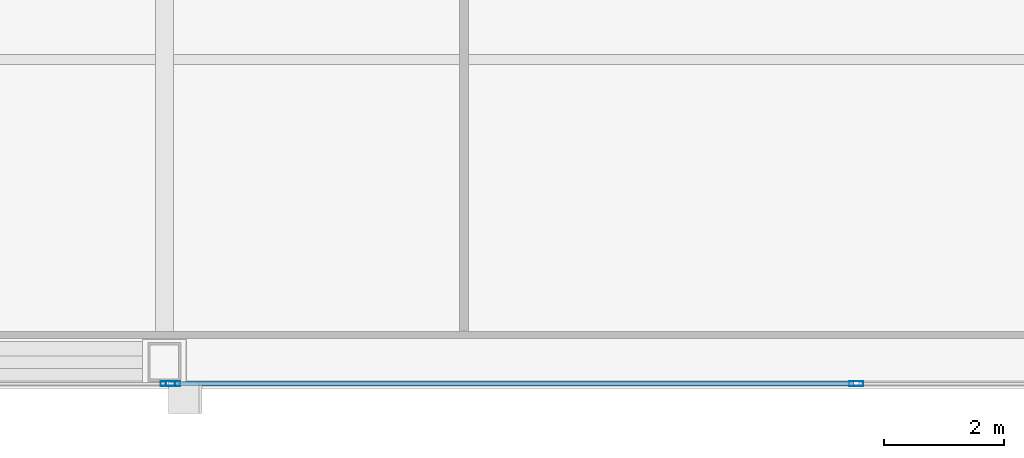
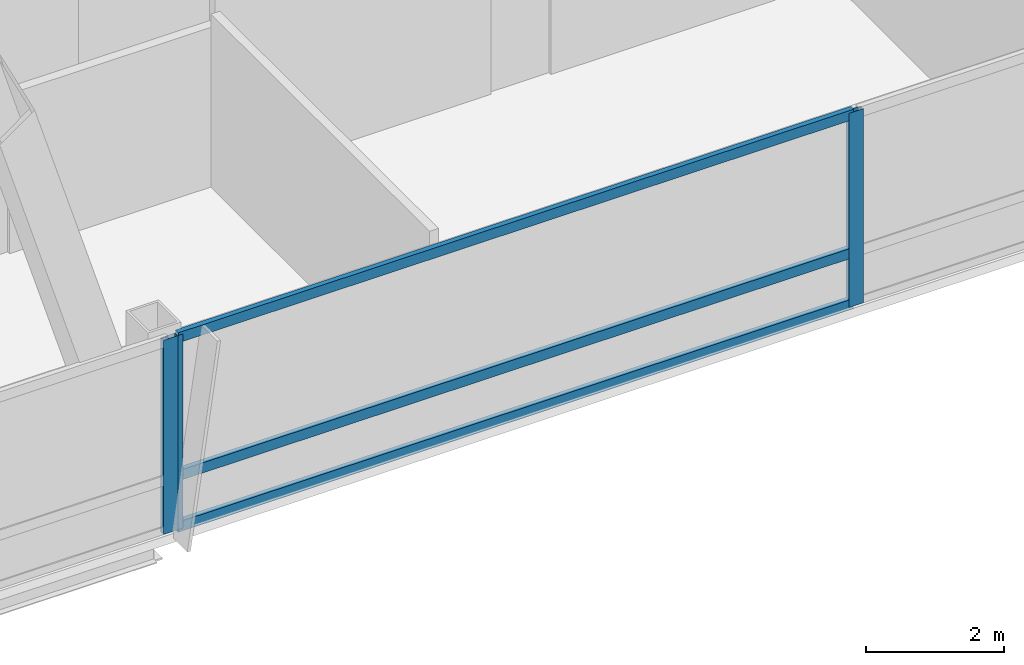
# One storey, part 7 of 29: 6 members, 2 elements without a shape of their own.
"""IFC4 building model written with IfcOpenShell, lengths in metres."""

from ifc_helpers import new_model, si_unit, direction, frame, origin, origin_2d, place, context, subcontext, project, spatial, hollow_rectangle, extrude, material, material_profile, profile_set, type_object, element, aggregate, save


model = new_model("IFC4")

# Units and contexts
model_context = context("Model", 3, precision=1e-05, world=origin(), true_north=direction((0.0, 1.0)))
body_context = subcontext(model_context, "Body", "Model", "MODEL_VIEW")
ifc_project = project(units=[si_unit("LENGTHUNIT", "METRE"), si_unit("AREAUNIT", "SQUARE_METRE"), si_unit("VOLUMEUNIT", "CUBIC_METRE"), si_unit("PLANEANGLEUNIT", "RADIAN"), si_unit("MASSUNIT", "GRAM", prefix="KILO")], contexts=[model_context])

# Site, building, storey
site_placement = place(None, origin())
site = spatial("IfcSite", under=ifc_project, at=site_placement, CompositionType="ELEMENT")
building_placement = place(site_placement, origin())
building = spatial("IfcBuilding", under=site, at=building_placement, Name="Khoronbel Lancet Exchange", CompositionType="ELEMENT")
storey_placement = place(building_placement, frame((0.0, 0.0, 314.60009765625)))
storey = spatial("IfcBuildingStorey", under=building, at=storey_placement, Name="L81", CompositionType="ELEMENT", Elevation=314.60009765625)

# Curtain wall, member
ifc_material_1 = material(Name="Low-E Solar Control Insulating Glass", Category="glass")
curtain_wall_type = type_object("IfcCurtainWallType", Name="CW-3", PredefinedType="NOTDEFINED", material=ifc_material_1)
curtain_wall_1_placement = place(storey_placement, origin())
curtain_wall_1 = element("IfcCurtainWall", 1, at=curtain_wall_1_placement, inside=storey, type_object=curtain_wall_type, Name="Unitised curtain wall CW-L81-SWB", PredefinedType="NOTDEFINED")
ifc_material_2 = material(Name="Bronze-Anodised Aluminium 6063-T6", Category="aluminium")
ifc_material_profile_1 = material_profile(ifc_material_2, hollow_rectangle(XDim=0.0849609375, YDim=0.239990234375, WallThickness=0.006103515625, at=origin_2d()), Name="ALU MULLION 85x240")
ifc_profile_set_1 = profile_set([ifc_material_profile_1], Name="Bronze-Anodised Aluminium 6063-T6")
member_type_1 = type_object("IfcMemberType", Name="MEM-CWM1", PredefinedType="MULLION", material=ifc_profile_set_1)
member_1_placement = place(storey_placement, frame((24.95751953125, 9.7900390625, 0.0), z_axis=(0.0, 0.0, 1.0), x_axis=(0.0, 1.0, 0.0)))
member_1 = element("IfcMember", 2, at=member_1_placement, type_object=member_type_1, Name="CW3 mullion 2", PredefinedType="MULLION", context=body_context, shape_type="SweptSolid", body=[
    extrude(hollow_rectangle(XDim=0.0849609375, YDim=0.239990234375, WallThickness=0.006103515625, at=origin_2d()), origin(), (0.0, 0.0, 1.0), 3.43994140625),
])
aggregate(curtain_wall_1, [member_1])

# Curtain wall, members
curtain_wall_2_placement = place(storey_placement, origin())
curtain_wall_2 = element("IfcCurtainWall", 3, at=curtain_wall_2_placement, inside=storey, type_object=curtain_wall_type, Name="Unitised curtain wall CW-L81-SCV", PredefinedType="NOTDEFINED")
member_2_placement = place(storey_placement, frame((25.04248046875, 9.7900390625, 0.0), z_axis=(0.0, 0.0, 1.0), x_axis=(0.0, 1.0, 0.0)))
member_2 = element("IfcMember", 4, at=member_2_placement, type_object=member_type_1, Name="CW3 mullion 1", PredefinedType="MULLION", context=body_context, shape_type="SweptSolid", body=[
    extrude(hollow_rectangle(XDim=0.0849609375, YDim=0.239990234375, WallThickness=0.006103515625, at=origin_2d()), origin(), (0.0, 0.0, 1.0), 3.43994140625),
])
member_3_placement = place(storey_placement, frame((36.449951171875, 9.7900390625, 0.0), z_axis=(0.0, 0.0, 1.0), x_axis=(0.0, 1.0, 0.0)))
member_3 = element("IfcMember", 5, at=member_3_placement, type_object=member_type_1, Name="CW3 mullion 2", PredefinedType="MULLION", context=body_context, shape_type="SweptSolid", body=[
    extrude(hollow_rectangle(XDim=0.0849609375, YDim=0.239990234375, WallThickness=0.006103515625, at=origin_2d()), origin(), (0.0, 0.0, 1.0), 3.43994140625),
])
ifc_material_profile_2 = material_profile(ifc_material_2, hollow_rectangle(XDim=0.0849609375, YDim=0.179931640625, WallThickness=0.0048828125, at=origin_2d()), Name="ALU TRANSOM 85x180")
ifc_profile_set_2 = profile_set([ifc_material_profile_2], Name="Bronze-Anodised Aluminium 6063-T6")
member_type_2 = type_object("IfcMemberType", Name="MEM-CWT1", PredefinedType="USERDEFINED", material=ifc_profile_set_2)
member_4_placement = place(storey_placement, frame((25.0849609375, 9.7900390625, 0.04248046875), z_axis=(1.0, 0.0, 0.0), x_axis=(0.0, 1.0, 0.0)))
member_4 = element("IfcMember", 6, at=member_4_placement, type_object=member_type_2, Name="CW3 transom 1.1", ObjectType="TRANSOM", PredefinedType="USERDEFINED", context=body_context, shape_type="SweptSolid", body=[
    extrude(hollow_rectangle(XDim=0.0849609375, YDim=0.179931640625, WallThickness=0.0048828125, at=origin_2d()), origin(), (0.0, 0.0, 1.0), 11.322509765625),
])
member_5_placement = place(storey_placement, frame((25.0849609375, 9.7900390625, 0.949951171875), z_axis=(1.0, 0.0, 0.0), x_axis=(0.0, 1.0, 0.0)))
member_5 = element("IfcMember", 7, at=member_5_placement, type_object=member_type_2, Name="CW3 transom 1.2", ObjectType="TRANSOM", PredefinedType="USERDEFINED", context=body_context, shape_type="SweptSolid", body=[
    extrude(hollow_rectangle(XDim=0.0849609375, YDim=0.179931640625, WallThickness=0.0048828125, at=origin_2d()), origin(), (0.0, 0.0, 1.0), 11.322509765625),
])
member_6_placement = place(storey_placement, frame((25.0849609375, 9.7900390625, 3.3974609375), z_axis=(1.0, 0.0, 0.0), x_axis=(0.0, 1.0, 0.0)))
member_6 = element("IfcMember", 8, at=member_6_placement, type_object=member_type_2, Name="CW3 transom 1.3", ObjectType="TRANSOM", PredefinedType="USERDEFINED", context=body_context, shape_type="SweptSolid", body=[
    extrude(hollow_rectangle(XDim=0.0849609375, YDim=0.179931640625, WallThickness=0.0048828125, at=origin_2d()), origin(), (0.0, 0.0, 1.0), 11.322509765625),
])
aggregate(curtain_wall_2, [member_2, member_3, member_4, member_5, member_6])

save(model, "model.ifc")
